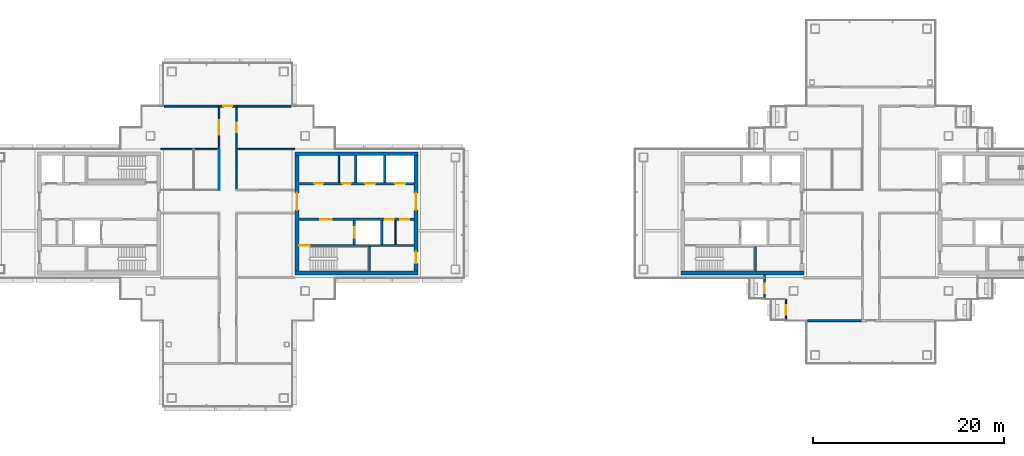
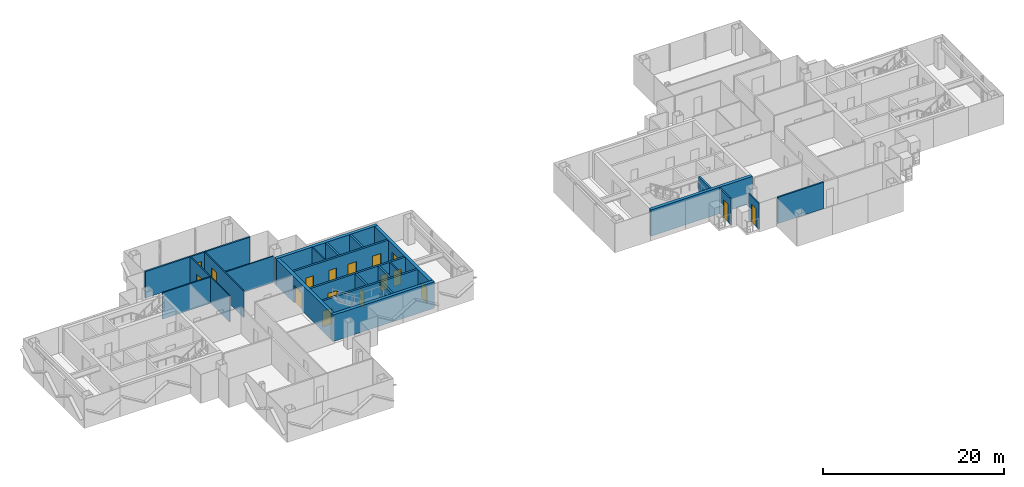
# One storey, part 10 of 17: 27 walls, 17 doors, 17 openings.
"""IFC4 building model written with IfcOpenShell, lengths in metres."""

from ifc_helpers import new_model, si_unit, direction, frame, frame_2d, origin, place, context, subcontext, project, spatial, rectangle, extrude, material, layer, layer_set, type_object, element, fill, save


model = new_model("IFC4")

# Units and contexts
model_context = context("Model", 3, precision=1e-05, world=origin(), true_north=direction((0.0, 1.0)))
body_context = subcontext(model_context, "Body", "Model", "MODEL_VIEW")
ifc_project = project(units=[si_unit("LENGTHUNIT", "METRE"), si_unit("AREAUNIT", "SQUARE_METRE"), si_unit("VOLUMEUNIT", "CUBIC_METRE"), si_unit("PLANEANGLEUNIT", "RADIAN"), si_unit("MASSUNIT", "GRAM", prefix="KILO")], contexts=[model_context])

# Site, building, storey
site_placement = place(None, origin())
site = spatial("IfcSite", under=ifc_project, at=site_placement, CompositionType="ELEMENT")
building_placement = place(site_placement, origin())
building = spatial("IfcBuilding", under=site, at=building_placement, Name="Shamsa Quay Exchange Towers", CompositionType="ELEMENT")
storey_placement = place(building_placement, frame((0.0, 0.0, 238.199951171875)))
storey = spatial("IfcBuildingStorey", under=building, at=storey_placement, Name="L57", CompositionType="ELEMENT", Elevation=238.199951171875)

# Wall, opening, door
ifc_material_1 = material(Name="Double-leaf gypsum board partition with acoustic insulation")
ifc_layer_1 = layer(ifc_material_1, 0.199951171875)
ifc_layer_set_1 = layer_set([ifc_layer_1], Name="Acoustic partition 200 mm EI 60")
wall_type_1 = type_object("IfcWallType", Name="Acoustic partition 200 mm EI 60", PredefinedType="PARTITIONING", material=ifc_layer_set_1)
wall_1_placement = place(storey_placement, frame((-34.725341796875, 11.25, 0.0)))
wall_1 = element("IfcWall", 1, at=wall_1_placement, inside=storey, type_object=wall_type_1, Name="Partition T1-R25-W10", PredefinedType="PARTITIONING", context=body_context, shape_type="SweptSolid", body=[
    extrude(rectangle(XDim=1.95068359375, YDim=0.199951171875, at=frame_2d((0.975341796875, 0.0))), origin(), (0.0, 0.0, 1.0), 3.550048828125),
])
opening_1_placement = place(wall_1_placement, frame((0.525390625, 0.0, 0.0)))
opening_1 = element("IfcOpeningElement", 2, at=opening_1_placement, cuts=wall_1, Name="Opening T1-R25-D06", PredefinedType="OPENING", context=body_context, shape_type="SweptSolid", body=[
    extrude(rectangle(XDim=0.89990234375, YDim=2.39990234375, at=frame_2d((0.449951171875, 1.199951171875))), frame((0.0, 0.10986328125, 0.0), z_axis=(0.0, -1.0, 0.0), x_axis=(1.0, 0.0, 0.0)), (0.0, 0.0, 1.0), 0.219970703125),
])
ifc_material_2 = material(Name="Timber door leaf in a metal frame", Category="wood")
door_type_1 = type_object("IfcDoorType", Name="Door 900x2400 FD30S", OperationType="NOTDEFINED", PredefinedType="DOOR", material=ifc_material_2)
door_1_placement = place(opening_1_placement, origin())
door_1 = element("IfcDoor", 3, at=door_1_placement, inside=storey, type_object=door_type_1, Name="Door T1-R25-D06", OperationType="SINGLE_SWING_LEFT", OverallHeight=2.39990234375, OverallWidth=0.89990234375, PredefinedType="DOOR", context=body_context, shape_type="SweptSolid", body=[
    extrude(rectangle(XDim=0.89990234375, YDim=2.39990234375, at=frame_2d((0.449951171875, 1.199951171875))), frame((0.0, 0.02490234375, 0.0), z_axis=(0.0, -1.0, 0.0), x_axis=(1.0, 0.0, 0.0)), (0.0, 0.0, 1.0), 0.050048828125),
])
fill(opening_1, door_1)

# Walls
for number, where, z_axis, x_axis, name in (
    (4, (-27.094970703125, 11.25, 0.0), (0.0, 0.0, 1.0), (-1.0, 0.0, 0.0), "Partition T1-R25-W18"),
    (5, (-34.575439453125, 11.25, 0.0), (0.0, 0.0, 1.0), (-1.0, 0.0, 0.0), "Partition T1-R25-W19"),
):
    element("IfcWall", number, at=place(storey_placement, frame(where, z_axis=z_axis, x_axis=x_axis)), inside=storey, type_object=wall_type_1, Name=name, PredefinedType="PARTITIONING", context=body_context, shape_type="SweptSolid", body=[
        extrude(rectangle(XDim=5.82958984375, YDim=0.199951171875, at=frame_2d((2.914794921875, 0.0))), origin(), (0.0, 0.0, 1.0), 3.550048828125),
    ])
wall_2_placement = place(storey_placement, frame((27.094970703125, -11.25, 0.0)))
element("IfcWall", 6, at=wall_2_placement, inside=storey, type_object=wall_type_1, Name="Partition T2-R25-W22", PredefinedType="PARTITIONING", context=body_context, shape_type="SweptSolid", body=[
    extrude(rectangle(XDim=5.854736328125, YDim=0.199951171875, at=frame_2d((2.92724609375, 0.0))), origin(), (0.0, 0.0, 1.0), 3.550048828125),
])

# Wall, opening, door
ifc_material_3 = material(Name="Aluminium EN AW-6063 T6, black anodised, with black enamelled glass infill", Category="aluminium")
ifc_layer_2 = layer(ifc_material_3, 0.14990234375)
ifc_layer_set_2 = layer_set([ifc_layer_2], Name="BALCONY DOOR BAY WALL 150")
wall_type_2 = type_object("IfcWallType", Name="BALCONY DOOR BAY WALL 150", PredefinedType="SOLIDWALL", material=ifc_layer_set_2)
wall_3_placement = place(storey_placement, frame((22.574951171875, -9.0, 0.0), z_axis=(0.0, 0.0, 1.0), x_axis=(0.0, 1.0, 0.0)))
wall_3 = element("IfcWall", 7, at=wall_3_placement, inside=storey, type_object=wall_type_2, Name="Door bay T2-PKWN L57", PredefinedType="SOLIDWALL", context=body_context, shape_type="SweptSolid", body=[
    extrude(rectangle(XDim=2.556884765625, YDim=0.14990234375, at=frame_2d((1.2783203125, 0.0))), origin(), (0.0, 0.0, 1.0), 3.449951171875),
])
opening_2_placement = place(wall_3_placement, frame((0.625, 0.0, 0.0)))
opening_2 = element("IfcOpeningElement", 8, at=opening_2_placement, cuts=wall_3, Name="Opening XD381", PredefinedType="OPENING", context=body_context, shape_type="SweptSolid", body=[
    extrude(rectangle(XDim=1.0, YDim=2.39990234375, at=frame_2d((0.5, 1.199951171875))), frame((0.0, 0.0849609375, 0.0), z_axis=(0.0, -1.0, 0.0), x_axis=(1.0, 0.0, 0.0)), (0.0, 0.0, 1.0), 0.169921875),
])
ifc_material_4 = material(Name="Aluminium EN AW-6063 T6, black anodised, with laminated glass leaf", Category="aluminium")
door_type_2 = type_object("IfcDoorType", Name="BALCONY DOOR 1000x2400", OperationType="SINGLE_SWING_LEFT", PredefinedType="DOOR", material=ifc_material_4)
door_2_placement = place(opening_2_placement, origin())
door_2 = element("IfcDoor", 9, at=door_2_placement, inside=storey, type_object=door_type_2, Name="Balcony door T2-PKWN L57", OperationType="SINGLE_SWING_LEFT", OverallHeight=2.39990234375, OverallWidth=1.0, PredefinedType="DOOR", context=body_context, shape_type="SweptSolid", body=[
    extrude(rectangle(XDim=1.0, YDim=2.39990234375, at=frame_2d((0.5, 1.199951171875))), frame((0.0, 0.02490234375, 0.0), z_axis=(0.0, -1.0, 0.0), x_axis=(1.0, 0.0, 0.0)), (0.0, 0.0, 1.0), 0.050048828125),
])
fill(opening_2, door_2)

wall_4_placement = place(storey_placement, frame((24.824951171875, -11.25, 0.0), z_axis=(0.0, 0.0, 1.0), x_axis=(0.0, 1.0, 0.0)))
wall_4 = element("IfcWall", 10, at=wall_4_placement, inside=storey, type_object=wall_type_2, Name="Door bay T2-PKWN L57", PredefinedType="SOLIDWALL", context=body_context, shape_type="SweptSolid", body=[
    extrude(rectangle(XDim=2.25, YDim=0.14990234375, at=frame_2d((1.125, 0.0))), origin(), (0.0, 0.0, 1.0), 3.449951171875),
])
opening_3_placement = place(wall_4_placement, frame((0.625, 0.0, 0.0)))
opening_3 = element("IfcOpeningElement", 11, at=opening_3_placement, cuts=wall_4, Name="Opening XD382", PredefinedType="OPENING", context=body_context, shape_type="SweptSolid", body=[
    extrude(rectangle(XDim=1.0, YDim=2.39990234375, at=frame_2d((0.5, 1.199951171875))), frame((0.0, 0.0849609375, 0.0), z_axis=(0.0, -1.0, 0.0), x_axis=(1.0, 0.0, 0.0)), (0.0, 0.0, 1.0), 0.169921875),
])
door_3_placement = place(opening_3_placement, origin())
door_3 = element("IfcDoor", 12, at=door_3_placement, inside=storey, type_object=door_type_2, Name="Balcony door T2-PKWN L57", OperationType="SINGLE_SWING_RIGHT", OverallHeight=2.39990234375, OverallWidth=1.0, PredefinedType="DOOR", context=body_context, shape_type="SweptSolid", body=[
    extrude(rectangle(XDim=1.0, YDim=2.39990234375, at=frame_2d((0.5, 1.199951171875))), frame((0.0, 0.02490234375, 0.0), z_axis=(0.0, -1.0, 0.0), x_axis=(1.0, 0.0, 0.0)), (0.0, 0.0, 1.0), 0.050048828125),
])
fill(opening_3, door_3)

# Walls
ifc_material_5 = material(Name="Concrete C60/75", Category="concrete")
ifc_layer_3 = layer(ifc_material_5, 0.39990234375)
ifc_layer_set_3 = layer_set([ifc_layer_3], Name="CORE WALL 400 C60/75")
wall_type_3 = type_object("IfcWallType", Name="CORE WALL 400 C60/75", PredefinedType="SHEAR", material=ifc_layer_set_3)
for number, where, name in (
    (13, (-26.699951171875, -6.25, 0.0), "Core wall T1A-R25-PS"),
    (14, (-26.699951171875, 6.25, 0.0), "Core wall T1A-R25-PN"),
):
    element("IfcWall", number, at=place(storey_placement, frame(where)), inside=storey, type_object=wall_type_3, Name=name, PredefinedType="SHEAR", context=body_context, shape_type="SweptSolid", body=[
        extrude(rectangle(XDim=12.89990234375, YDim=0.39990234375, at=frame_2d((6.449951171875, 0.0))), origin(), (0.0, 0.0, 1.0), 3.550048828125),
    ])

# Wall, opening, door
wall_5_placement = place(storey_placement, frame((-26.5, 6.050048828125, 0.0), z_axis=(0.0, 0.0, 1.0), x_axis=(0.0, -1.0, 0.0)))
wall_5 = element("IfcWall", 15, at=wall_5_placement, inside=storey, type_object=wall_type_3, Name="Core wall T1A-R25-PF", PredefinedType="SHEAR", context=body_context, shape_type="SweptSolid", body=[
    extrude(rectangle(XDim=12.10009765625, YDim=0.39990234375, at=frame_2d((6.050048828125, 0.0))), origin(), (0.0, 0.0, 1.0), 3.550048828125),
])
opening_4_placement = place(wall_5_placement, frame((3.89990234375, 0.0, 0.0)))
opening_4 = element("IfcOpeningElement", 16, at=opening_4_placement, cuts=wall_5, Name="Opening T1A-R25-LBD01", PredefinedType="OPENING", context=body_context, shape_type="SweptSolid", body=[
    extrude(rectangle(XDim=1.800048828125, YDim=2.39990234375, at=frame_2d((0.89990234375, 1.199951171875))), frame((0.0, 0.2099609375, 0.0), z_axis=(0.0, -1.0, 0.0), x_axis=(1.0, 0.0, 0.0)), (0.0, 0.0, 1.0), 0.419921875),
])
ifc_material_6 = material(Name="Steel, fire rated", Category="steel")
door_type_3 = type_object("IfcDoorType", Name="LIFT LOBBY DOOR PAIR 1800", OperationType="DOUBLE_DOOR_SINGLE_SWING", PredefinedType="DOOR", material=ifc_material_6)
door_4_placement = place(opening_4_placement, origin())
door_4 = element("IfcDoor", 17, at=door_4_placement, inside=storey, type_object=door_type_3, Name="T1A-R25-LBD01", OperationType="DOUBLE_DOOR_SINGLE_SWING", OverallHeight=2.39990234375, OverallWidth=1.800048828125, PredefinedType="DOOR", context=body_context, shape_type="SweptSolid", body=[
    extrude(rectangle(XDim=1.800048828125, YDim=2.39990234375, at=frame_2d((0.89990234375, 1.199951171875))), frame((0.0, 0.02490234375, 0.0), z_axis=(0.0, -1.0, 0.0), x_axis=(1.0, 0.0, 0.0)), (0.0, 0.0, 1.0), 0.050048828125),
])
fill(opening_4, door_4)

# Wall, openings, doors
wall_6_placement = place(storey_placement, frame((-14.0, 6.050048828125, 0.0), z_axis=(0.0, 0.0, 1.0), x_axis=(0.0, -1.0, 0.0)))
wall_6 = element("IfcWall", 18, at=wall_6_placement, inside=storey, type_object=wall_type_3, Name="Core wall T1A-R25-PB", PredefinedType="SHEAR", context=body_context, shape_type="SweptSolid", body=[
    extrude(rectangle(XDim=12.10009765625, YDim=0.39990234375, at=frame_2d((6.050048828125, 0.0))), origin(), (0.0, 0.0, 1.0), 3.550048828125),
])
opening_5_placement = place(wall_6_placement, frame((10.10009765625, 0.0, 0.0)))
opening_5 = element("IfcOpeningElement", 19, at=opening_5_placement, cuts=wall_6, Name="Opening T1A-R25-RD02", PredefinedType="OPENING", context=body_context, shape_type="SweptSolid", body=[
    extrude(rectangle(XDim=1.199951171875, YDim=2.10009765625, at=frame_2d((0.60009765625, 1.050048828125))), frame((0.0, 0.2099609375, 0.0), z_axis=(0.0, -1.0, 0.0), x_axis=(1.0, 0.0, 0.0)), (0.0, 0.0, 1.0), 0.419921875),
])
opening_6_placement = place(wall_6_placement, frame((3.89990234375, 0.0, 0.0)))
opening_6 = element("IfcOpeningElement", 20, at=opening_6_placement, cuts=wall_6, Name="Opening T1A-R25-LBD03", PredefinedType="OPENING", context=body_context, shape_type="SweptSolid", body=[
    extrude(rectangle(XDim=1.800048828125, YDim=2.39990234375, at=frame_2d((0.89990234375, 1.199951171875))), frame((0.0, 0.2099609375, 0.0), z_axis=(0.0, -1.0, 0.0), x_axis=(1.0, 0.0, 0.0)), (0.0, 0.0, 1.0), 0.419921875),
])
door_5_placement = place(opening_6_placement, origin())
door_5 = element("IfcDoor", 21, at=door_5_placement, inside=storey, type_object=door_type_3, Name="T1A-R25-LBD03", OperationType="DOUBLE_DOOR_SINGLE_SWING", OverallHeight=2.39990234375, OverallWidth=1.800048828125, PredefinedType="DOOR", context=body_context, shape_type="SweptSolid", body=[
    extrude(rectangle(XDim=1.800048828125, YDim=2.39990234375, at=frame_2d((0.89990234375, 1.199951171875))), frame((0.0, 0.02490234375, 0.0), z_axis=(0.0, -1.0, 0.0), x_axis=(1.0, 0.0, 0.0)), (0.0, 0.0, 1.0), 0.050048828125),
])
fill(opening_6, door_5)
door_type_4 = type_object("IfcDoorType", Name="RISER ACCESS DOOR 1200", OperationType="SINGLE_SWING_LEFT", PredefinedType="DOOR", material=ifc_material_6)
door_6_placement = place(opening_5_placement, origin())
door_6 = element("IfcDoor", 22, at=door_6_placement, inside=storey, type_object=door_type_4, Name="T1A-R25-RD02", OperationType="SINGLE_SWING_RIGHT", OverallHeight=2.10009765625, OverallWidth=1.199951171875, PredefinedType="DOOR", context=body_context, shape_type="SweptSolid", body=[
    extrude(rectangle(XDim=1.199951171875, YDim=2.10009765625, at=frame_2d((0.60009765625, 1.050048828125))), frame((0.0, 0.02490234375, 0.0), z_axis=(0.0, -1.0, 0.0), x_axis=(1.0, 0.0, 0.0)), (0.0, 0.0, 1.0), 0.050048828125),
])
fill(opening_5, door_6)

# Walls
wall_7_placement = place(storey_placement, frame((13.800048828125, -6.25, 0.0)))
element("IfcWall", 23, at=wall_7_placement, inside=storey, type_object=wall_type_3, Name="Core wall T2A-R25-PS", PredefinedType="SHEAR", context=body_context, shape_type="SweptSolid", body=[
    extrude(rectangle(XDim=12.89990234375, YDim=0.39990234375, at=frame_2d((6.449951171875, 0.0))), origin(), (0.0, 0.0, 1.0), 3.550048828125),
])
ifc_material_7 = material(Name="Gypsum board on steel studs, EI 60", Category="steel")
ifc_layer_4 = layer(ifc_material_7, 0.14990234375)
ifc_layer_set_4 = layer_set([ifc_layer_4], Name="FIRE PARTITION 150")
wall_type_4 = type_object("IfcWallType", Name="FIRE PARTITION 150", PredefinedType="PARTITIONING", material=ifc_layer_set_4)
wall_8_placement = place(storey_placement, frame((-16.14990234375, -3.25, 0.0), z_axis=(0.0, 0.0, 1.0), x_axis=(0.0, 1.0, 0.0)))
element("IfcWall", 24, at=wall_8_placement, inside=storey, type_object=wall_type_4, Name="Partition T1A-R25-EC0", PredefinedType="PARTITIONING", context=body_context, shape_type="SweptSolid", body=[
    extrude(rectangle(XDim=2.5, YDim=0.14990234375, at=frame_2d((1.25, 0.0))), origin(), (0.0, 0.0, 1.0), 3.550048828125),
])
wall_9_placement = place(storey_placement, frame((-22.10009765625, 3.25, 0.0), z_axis=(0.0, 0.0, 1.0), x_axis=(0.0, 1.0, 0.0)))
element("IfcWall", 25, at=wall_9_placement, inside=storey, type_object=wall_type_4, Name="Partition T1A-R25-FC0", PredefinedType="PARTITIONING", context=body_context, shape_type="SweptSolid", body=[
    extrude(rectangle(XDim=2.800048828125, YDim=0.14990234375, at=frame_2d((1.39990234375, 0.0))), origin(), (0.0, 0.0, 1.0), 3.550048828125),
])
ifc_material_8 = material(Name="Gypsum board partition on metal studs")
ifc_layer_5 = layer(ifc_material_8, 0.10009765625)
ifc_layer_set_5 = layer_set([ifc_layer_5], Name="Partition 100 mm NOT RATED")
wall_type_5 = type_object("IfcWallType", Name="Partition 100 mm NOT RATED", PredefinedType="PARTITIONING", material=ifc_layer_set_5)
wall_10_placement = place(storey_placement, frame((-34.650390625, 2.500244140625, 0.0), z_axis=(0.0, 0.0, 1.0), x_axis=(0.0, 1.0, 0.0)))
element("IfcWall", 26, at=wall_10_placement, inside=storey, type_object=wall_type_5, Name="Partition T1-R25-W07", PredefinedType="PARTITIONING", context=body_context, shape_type="SweptSolid", body=[
    extrude(rectangle(XDim=4.1748046875, YDim=0.10009765625, at=frame_2d((2.08740234375, 0.0))), origin(), (0.0, 0.0, 1.0), 3.550048828125),
])

# Wall, opening, door
ifc_layer_6 = layer(ifc_material_8, 0.14990234375)
ifc_layer_set_6 = layer_set([ifc_layer_6], Name="Partition 150 mm EI 60")
wall_type_6 = type_object("IfcWallType", Name="Partition 150 mm EI 60", PredefinedType="PARTITIONING", material=ifc_layer_set_6)
wall_11_placement = place(storey_placement, frame((-32.849609375, 11.14990234375, 0.0), z_axis=(0.0, 0.0, 1.0), x_axis=(0.0, -1.0, 0.0)))
wall_11 = element("IfcWall", 27, at=wall_11_placement, inside=storey, type_object=wall_type_6, Name="Partition T1-R25-W01", PredefinedType="PARTITIONING", context=body_context, shape_type="SweptSolid", body=[
    extrude(rectangle(XDim=8.624755859375, YDim=0.14990234375, at=frame_2d((4.3125, 0.0))), origin(), (0.0, 0.0, 1.0), 3.550048828125),
])
opening_7_placement = place(wall_11_placement, frame((1.64990234375, 0.0, 0.0)))
opening_7 = element("IfcOpeningElement", 28, at=opening_7_placement, cuts=wall_11, Name="Opening T1-R25-D11", PredefinedType="OPENING", context=body_context, shape_type="SweptSolid", body=[
    extrude(rectangle(XDim=1.0, YDim=2.39990234375, at=frame_2d((0.5, 1.199951171875))), frame((0.0, 0.0849609375, 0.0), z_axis=(0.0, -1.0, 0.0), x_axis=(1.0, 0.0, 0.0)), (0.0, 0.0, 1.0), 0.169921875),
])
door_type_5 = type_object("IfcDoorType", Name="Door 1000x2400 FD30S", OperationType="NOTDEFINED", PredefinedType="DOOR", material=ifc_material_2)
door_7_placement = place(opening_7_placement, origin())
door_7 = element("IfcDoor", 29, at=door_7_placement, inside=storey, type_object=door_type_5, Name="Door T1-R25-D11", OperationType="SINGLE_SWING_RIGHT", OverallHeight=2.39990234375, OverallWidth=1.0, PredefinedType="DOOR", context=body_context, shape_type="SweptSolid", body=[
    extrude(rectangle(XDim=1.0, YDim=2.39990234375, at=frame_2d((0.5, 1.199951171875))), frame((0.0, 0.02490234375, 0.0), z_axis=(0.0, -1.0, 0.0), x_axis=(1.0, 0.0, 0.0)), (0.0, 0.0, 1.0), 0.050048828125),
])
fill(opening_7, door_7)

wall_12_placement = place(storey_placement, frame((-34.650390625, 6.824951171875, 0.0), z_axis=(0.0, 0.0, 1.0), x_axis=(0.0, 1.0, 0.0)))
wall_12 = element("IfcWall", 30, at=wall_12_placement, inside=storey, type_object=wall_type_6, Name="Partition T1-R25-W09", PredefinedType="PARTITIONING", context=body_context, shape_type="SweptSolid", body=[
    extrude(rectangle(XDim=4.324951171875, YDim=0.14990234375, at=frame_2d((2.16259765625, 0.0))), origin(), (0.0, 0.0, 1.0), 3.550048828125),
])
opening_8_placement = place(wall_12_placement, frame((1.425048828125, 0.0, 0.0)))
opening_8 = element("IfcOpeningElement", 31, at=opening_8_placement, cuts=wall_12, Name="Opening T1-R25-D05", PredefinedType="OPENING", context=body_context, shape_type="SweptSolid", body=[
    extrude(rectangle(XDim=1.5, YDim=2.10009765625, at=frame_2d((0.75, 1.050048828125))), frame((0.0, 0.0849609375, 0.0), z_axis=(0.0, -1.0, 0.0), x_axis=(1.0, 0.0, 0.0)), (0.0, 0.0, 1.0), 0.169921875),
])
door_type_6 = type_object("IfcDoorType", Name="Door 1500x2100 FD30S pair", OperationType="NOTDEFINED", PredefinedType="DOOR", material=ifc_material_2)
door_8_placement = place(opening_8_placement, origin())
door_8 = element("IfcDoor", 32, at=door_8_placement, inside=storey, type_object=door_type_6, Name="Door T1-R25-D05", OperationType="DOUBLE_DOOR_SINGLE_SWING", OverallHeight=2.10009765625, OverallWidth=1.5, PredefinedType="DOOR", context=body_context, shape_type="SweptSolid", body=[
    extrude(rectangle(XDim=1.5, YDim=2.10009765625, at=frame_2d((0.75, 1.050048828125))), frame((0.0, 0.02490234375, 0.0), z_axis=(0.0, -1.0, 0.0), x_axis=(1.0, 0.0, 0.0)), (0.0, 0.0, 1.0), 0.050048828125),
])
fill(opening_8, door_8)

# Walls
wall_13_placement = place(storey_placement, frame((-26.699951171875, 6.75, 0.0), z_axis=(0.0, 0.0, 1.0), x_axis=(-1.0, 0.0, 0.0)))
element("IfcWall", 33, at=wall_13_placement, inside=storey, type_object=wall_type_6, Name="Partition T1-R25-W13", PredefinedType="PARTITIONING", context=body_context, shape_type="SweptSolid", body=[
    extrude(rectangle(XDim=6.07470703125, YDim=0.14990234375, at=frame_2d((3.037353515625, 0.0))), origin(), (0.0, 0.0, 1.0), 3.550048828125),
])
wall_14_placement = place(storey_placement, frame((-34.575439453125, 6.75, 0.0), z_axis=(0.0, 0.0, 1.0), x_axis=(-1.0, 0.0, 0.0)))
element("IfcWall", 34, at=wall_14_placement, inside=storey, type_object=wall_type_6, Name="Partition T1-R25-W14", PredefinedType="PARTITIONING", context=body_context, shape_type="SweptSolid", body=[
    extrude(rectangle(XDim=6.224609375, YDim=0.14990234375, at=frame_2d((3.1123046875, 0.0))), origin(), (0.0, 0.0, 1.0), 3.550048828125),
])

# Wall, opening, door
ifc_material_9 = material(Name="Concrete C50/60", Category="concrete")
ifc_layer_7 = layer(ifc_material_9, 0.25)
ifc_layer_set_7 = layer_set([ifc_layer_7], Name="SHAFT WALL 250 C50/60")
wall_type_7 = type_object("IfcWallType", Name="SHAFT WALL 250 C50/60", PredefinedType="SHEAR", material=ifc_layer_set_7)
wall_15_placement = place(storey_placement, frame((-14.199951171875, -3.375, 0.0), z_axis=(0.0, 0.0, 1.0), x_axis=(-1.0, 0.0, 0.0)))
wall_15 = element("IfcWall", 35, at=wall_15_placement, inside=storey, type_object=wall_type_7, Name="Shaft wall T1A-R25-STL", PredefinedType="SHEAR", context=body_context, shape_type="SweptSolid", body=[
    extrude(rectangle(XDim=12.10009765625, YDim=0.25, at=frame_2d((6.050048828125, 0.0))), origin(), (0.0, 0.0, 1.0), 3.550048828125),
])
opening_9_placement = place(wall_15_placement, frame((10.949951171875, 0.0, 0.0)))
opening_9 = element("IfcOpeningElement", 36, at=opening_9_placement, cuts=wall_15, Name="Opening T1A-R25-SD04", PredefinedType="OPENING", context=body_context, shape_type="SweptSolid", body=[
    extrude(rectangle(XDim=1.10009765625, YDim=2.10009765625, at=frame_2d((0.550048828125, 1.050048828125))), frame((0.0, 0.135009765625, 0.0), z_axis=(0.0, -1.0, 0.0), x_axis=(1.0, 0.0, 0.0)), (0.0, 0.0, 1.0), 0.27001953125),
])
door_type_7 = type_object("IfcDoorType", Name="STAIR DOOR 1100", OperationType="SINGLE_SWING_LEFT", PredefinedType="DOOR", material=ifc_material_6)
door_9_placement = place(opening_9_placement, origin())
door_9 = element("IfcDoor", 37, at=door_9_placement, inside=storey, type_object=door_type_7, Name="T1A-R25-SD04", OperationType="SINGLE_SWING_RIGHT", OverallHeight=2.10009765625, OverallWidth=1.10009765625, PredefinedType="DOOR", context=body_context, shape_type="SweptSolid", body=[
    extrude(rectangle(XDim=1.10009765625, YDim=2.10009765625, at=frame_2d((0.550048828125, 1.050048828125))), frame((0.0, 0.02490234375, 0.0), z_axis=(0.0, -1.0, 0.0), x_axis=(1.0, 0.0, 0.0)), (0.0, 0.0, 1.0), 0.050048828125),
])
fill(opening_9, door_9)

# Wall
wall_16_placement = place(storey_placement, frame((-18.875, -6.050048828125, 0.0), z_axis=(0.0, 0.0, 1.0), x_axis=(0.0, 1.0, 0.0)))
element("IfcWall", 38, at=wall_16_placement, inside=storey, type_object=wall_type_7, Name="Shaft wall T1A-R25-STF", PredefinedType="SHEAR", context=body_context, shape_type="SweptSolid", body=[
    extrude(rectangle(XDim=2.550048828125, YDim=0.25, at=frame_2d((1.27490234375, 0.0))), origin(), (0.0, 0.0, 1.0), 3.550048828125),
])

# Wall, openings, doors
wall_17_placement = place(storey_placement, frame((-14.199951171875, -0.625, 0.0), z_axis=(0.0, 0.0, 1.0), x_axis=(-1.0, 0.0, 0.0)))
wall_17 = element("IfcWall", 39, at=wall_17_placement, inside=storey, type_object=wall_type_7, Name="Shaft wall T1A-R25-B", PredefinedType="SHEAR", context=body_context, shape_type="SweptSolid", body=[
    extrude(rectangle(XDim=12.10009765625, YDim=0.25, at=frame_2d((6.050048828125, 0.0))), origin(), (0.0, 0.0, 1.0), 3.550048828125),
])
opening_10_placement = place(wall_17_placement, frame((8.64990234375, 0.0, 0.0)))
opening_10 = element("IfcOpeningElement", 40, at=opening_10_placement, cuts=wall_17, Name="Opening T1A-R25-FD05", PredefinedType="OPENING", context=body_context, shape_type="SweptSolid", body=[
    extrude(rectangle(XDim=1.199951171875, YDim=2.10009765625, at=frame_2d((0.60009765625, 1.050048828125))), frame((0.0, 0.135009765625, 0.0), z_axis=(0.0, -1.0, 0.0), x_axis=(1.0, 0.0, 0.0)), (0.0, 0.0, 1.0), 0.27001953125),
])
opening_11_placement = place(wall_17_placement, frame((2.14990234375, 0.0, 0.0)))
opening_11 = element("IfcOpeningElement", 41, at=opening_11_placement, cuts=wall_17, Name="Opening T1A-R25-SV06", PredefinedType="OPENING", context=body_context, shape_type="SweptSolid", body=[
    extrude(rectangle(XDim=0.89990234375, YDim=2.10009765625, at=frame_2d((0.449951171875, 1.050048828125))), frame((0.0, 0.135009765625, 0.0), z_axis=(0.0, -1.0, 0.0), x_axis=(1.0, 0.0, 0.0)), (0.0, 0.0, 1.0), 0.27001953125),
])
opening_12_placement = place(wall_17_placement, frame((0.52490234375, 0.0, 0.0)))
opening_12 = element("IfcOpeningElement", 42, at=opening_12_placement, cuts=wall_17, Name="Opening T1A-R25-SV07", PredefinedType="OPENING", context=body_context, shape_type="SweptSolid", body=[
    extrude(rectangle(XDim=0.89990234375, YDim=2.10009765625, at=frame_2d((0.449951171875, 1.050048828125))), frame((0.0, 0.135009765625, 0.0), z_axis=(0.0, -1.0, 0.0), x_axis=(1.0, 0.0, 0.0)), (0.0, 0.0, 1.0), 0.27001953125),
])
door_type_8 = type_object("IfcDoorType", Name="FIRE SERVICE LOBBY DOOR 1200", OperationType="SINGLE_SWING_LEFT", PredefinedType="DOOR", material=ifc_material_6)
door_10_placement = place(opening_10_placement, origin())
door_10 = element("IfcDoor", 43, at=door_10_placement, inside=storey, type_object=door_type_8, Name="T1A-R25-FD05", OperationType="SINGLE_SWING_RIGHT", OverallHeight=2.10009765625, OverallWidth=1.199951171875, PredefinedType="DOOR", context=body_context, shape_type="SweptSolid", body=[
    extrude(rectangle(XDim=1.199951171875, YDim=2.10009765625, at=frame_2d((0.60009765625, 1.050048828125))), frame((0.0, 0.02490234375, 0.0), z_axis=(0.0, -1.0, 0.0), x_axis=(1.0, 0.0, 0.0)), (0.0, 0.0, 1.0), 0.050048828125),
])
fill(opening_10, door_10)
door_type_9 = type_object("IfcDoorType", Name="SERVICE ROOM DOOR 900", OperationType="SINGLE_SWING_LEFT", PredefinedType="DOOR", material=ifc_material_6)
door_11_placement = place(opening_11_placement, origin())
door_11 = element("IfcDoor", 44, at=door_11_placement, inside=storey, type_object=door_type_9, Name="T1A-R25-SV06", OperationType="SINGLE_SWING_LEFT", OverallHeight=2.10009765625, OverallWidth=0.89990234375, PredefinedType="DOOR", context=body_context, shape_type="SweptSolid", body=[
    extrude(rectangle(XDim=0.89990234375, YDim=2.10009765625, at=frame_2d((0.449951171875, 1.050048828125))), frame((0.0, 0.02490234375, 0.0), z_axis=(0.0, -1.0, 0.0), x_axis=(1.0, 0.0, 0.0)), (0.0, 0.0, 1.0), 0.050048828125),
])
fill(opening_11, door_11)
door_12_placement = place(opening_12_placement, origin())
door_12 = element("IfcDoor", 45, at=door_12_placement, inside=storey, type_object=door_type_9, Name="T1A-R25-SV07", OperationType="SINGLE_SWING_LEFT", OverallHeight=2.10009765625, OverallWidth=0.89990234375, PredefinedType="DOOR", context=body_context, shape_type="SweptSolid", body=[
    extrude(rectangle(XDim=0.89990234375, YDim=2.10009765625, at=frame_2d((0.449951171875, 1.050048828125))), frame((0.0, 0.02490234375, 0.0), z_axis=(0.0, -1.0, 0.0), x_axis=(1.0, 0.0, 0.0)), (0.0, 0.0, 1.0), 0.050048828125),
])
fill(opening_12, door_12)

# Wall, opening, door
wall_18_placement = place(storey_placement, frame((-20.47509765625, -3.25, 0.0), z_axis=(0.0, 0.0, 1.0), x_axis=(0.0, 1.0, 0.0)))
wall_18 = element("IfcWall", 46, at=wall_18_placement, inside=storey, type_object=wall_type_7, Name="Shaft wall T1A-R25-FFF", PredefinedType="SHEAR", context=body_context, shape_type="SweptSolid", body=[
    extrude(rectangle(XDim=2.5, YDim=0.25, at=frame_2d((1.25, 0.0))), origin(), (0.0, 0.0, 1.0), 3.550048828125),
])
opening_13_placement = place(wall_18_placement, frame((0.699951171875, 0.0, 0.0)))
opening_13 = element("IfcOpeningElement", 47, at=opening_13_placement, cuts=wall_18, Name="Opening T1A-R25-LDF08", PredefinedType="OPENING", context=body_context, shape_type="SweptSolid", body=[
    extrude(rectangle(XDim=1.10009765625, YDim=2.10009765625, at=frame_2d((0.550048828125, 1.050048828125))), frame((0.0, 0.135009765625, 0.0), z_axis=(0.0, -1.0, 0.0), x_axis=(1.0, 0.0, 0.0)), (0.0, 0.0, 1.0), 0.27001953125),
])
door_type_10 = type_object("IfcDoorType", Name="FIRE SERVICE LANDING DOOR 1100", OperationType="SLIDING_TO_LEFT", PredefinedType="DOOR", material=ifc_material_6)
door_13_placement = place(opening_13_placement, origin())
door_13 = element("IfcDoor", 48, at=door_13_placement, inside=storey, type_object=door_type_10, Name="T1A-R25-LDF08", OperationType="SLIDING_TO_LEFT", OverallHeight=2.10009765625, OverallWidth=1.10009765625, PredefinedType="DOOR", context=body_context, shape_type="SweptSolid", body=[
    extrude(rectangle(XDim=1.10009765625, YDim=2.10009765625, at=frame_2d((0.550048828125, 1.050048828125))), frame((0.0, 0.02490234375, 0.0), z_axis=(0.0, -1.0, 0.0), x_axis=(1.0, 0.0, 0.0)), (0.0, 0.0, 1.0), 0.050048828125),
])
fill(opening_13, door_13)

# Wall
wall_19_placement = place(storey_placement, frame((-17.574951171875, -3.25, 0.0), z_axis=(0.0, 0.0, 1.0), x_axis=(0.0, 1.0, 0.0)))
element("IfcWall", 49, at=wall_19_placement, inside=storey, type_object=wall_type_7, Name="Shaft wall T1A-R25-FFB", PredefinedType="SHEAR", context=body_context, shape_type="SweptSolid", body=[
    extrude(rectangle(XDim=2.5, YDim=0.25, at=frame_2d((1.25, 0.0))), origin(), (0.0, 0.0, 1.0), 3.550048828125),
])

# Wall, openings, doors
wall_20_placement = place(storey_placement, frame((-26.300048828125, 3.125, 0.0)))
wall_20 = element("IfcWall", 50, at=wall_20_placement, inside=storey, type_object=wall_type_7, Name="Shaft wall T1A-R25-N", PredefinedType="SHEAR", context=body_context, shape_type="SweptSolid", body=[
    extrude(rectangle(XDim=12.10009765625, YDim=0.25, at=frame_2d((6.050048828125, 0.0))), origin(), (0.0, 0.0, 1.0), 3.550048828125),
])
opening_14_placement = place(wall_20_placement, frame((6.949951171875, 0.0, 0.0)))
opening_14 = element("IfcOpeningElement", 51, at=opening_14_placement, cuts=wall_20, Name="Opening T1A-R25-LD09", PredefinedType="OPENING", context=body_context, shape_type="SweptSolid", body=[
    extrude(rectangle(XDim=1.10009765625, YDim=2.10009765625, at=frame_2d((0.550048828125, 1.050048828125))), frame((0.0, 0.135009765625, 0.0), z_axis=(0.0, -1.0, 0.0), x_axis=(1.0, 0.0, 0.0)), (0.0, 0.0, 1.0), 0.27001953125),
])
opening_15_placement = place(wall_20_placement, frame((10.074951171875, 0.0, 0.0)))
opening_15 = element("IfcOpeningElement", 52, at=opening_15_placement, cuts=wall_20, Name="Opening T1A-R25-LD10", PredefinedType="OPENING", context=body_context, shape_type="SweptSolid", body=[
    extrude(rectangle(XDim=1.10009765625, YDim=2.10009765625, at=frame_2d((0.550048828125, 1.050048828125))), frame((0.0, 0.135009765625, 0.0), z_axis=(0.0, -1.0, 0.0), x_axis=(1.0, 0.0, 0.0)), (0.0, 0.0, 1.0), 0.27001953125),
])
opening_16_placement = place(wall_20_placement, frame((1.64990234375, 0.0, 0.0)))
opening_16 = element("IfcOpeningElement", 53, at=opening_16_placement, cuts=wall_20, Name="Opening T1A-R25-SV11", PredefinedType="OPENING", context=body_context, shape_type="SweptSolid", body=[
    extrude(rectangle(XDim=0.89990234375, YDim=2.10009765625, at=frame_2d((0.449951171875, 1.050048828125))), frame((0.0, 0.135009765625, 0.0), z_axis=(0.0, -1.0, 0.0), x_axis=(1.0, 0.0, 0.0)), (0.0, 0.0, 1.0), 0.27001953125),
])
opening_17_placement = place(wall_20_placement, frame((4.574951171875, 0.0, 0.0)))
opening_17 = element("IfcOpeningElement", 54, at=opening_17_placement, cuts=wall_20, Name="Opening T1A-R25-SV12", PredefinedType="OPENING", context=body_context, shape_type="SweptSolid", body=[
    extrude(rectangle(XDim=0.89990234375, YDim=2.10009765625, at=frame_2d((0.449951171875, 1.050048828125))), frame((0.0, 0.135009765625, 0.0), z_axis=(0.0, -1.0, 0.0), x_axis=(1.0, 0.0, 0.0)), (0.0, 0.0, 1.0), 0.27001953125),
])
door_type_11 = type_object("IfcDoorType", Name="LANDING DOOR 1100", OperationType="SLIDING_TO_LEFT", PredefinedType="DOOR", material=ifc_material_6)
door_14_placement = place(opening_14_placement, origin())
door_14 = element("IfcDoor", 55, at=door_14_placement, inside=storey, type_object=door_type_11, Name="T1A-R25-LD09", OperationType="SLIDING_TO_LEFT", OverallHeight=2.10009765625, OverallWidth=1.10009765625, PredefinedType="DOOR", context=body_context, shape_type="SweptSolid", body=[
    extrude(rectangle(XDim=1.10009765625, YDim=2.10009765625, at=frame_2d((0.550048828125, 1.050048828125))), frame((0.0, 0.02490234375, 0.0), z_axis=(0.0, -1.0, 0.0), x_axis=(1.0, 0.0, 0.0)), (0.0, 0.0, 1.0), 0.050048828125),
])
fill(opening_14, door_14)
door_15_placement = place(opening_15_placement, origin())
door_15 = element("IfcDoor", 56, at=door_15_placement, inside=storey, type_object=door_type_11, Name="T1A-R25-LD10", OperationType="SLIDING_TO_LEFT", OverallHeight=2.10009765625, OverallWidth=1.10009765625, PredefinedType="DOOR", context=body_context, shape_type="SweptSolid", body=[
    extrude(rectangle(XDim=1.10009765625, YDim=2.10009765625, at=frame_2d((0.550048828125, 1.050048828125))), frame((0.0, 0.02490234375, 0.0), z_axis=(0.0, -1.0, 0.0), x_axis=(1.0, 0.0, 0.0)), (0.0, 0.0, 1.0), 0.050048828125),
])
fill(opening_15, door_15)
door_16_placement = place(opening_16_placement, origin())
door_16 = element("IfcDoor", 57, at=door_16_placement, inside=storey, type_object=door_type_9, Name="T1A-R25-SV11", OperationType="SINGLE_SWING_LEFT", OverallHeight=2.10009765625, OverallWidth=0.89990234375, PredefinedType="DOOR", context=body_context, shape_type="SweptSolid", body=[
    extrude(rectangle(XDim=0.89990234375, YDim=2.10009765625, at=frame_2d((0.449951171875, 1.050048828125))), frame((0.0, 0.02490234375, 0.0), z_axis=(0.0, -1.0, 0.0), x_axis=(1.0, 0.0, 0.0)), (0.0, 0.0, 1.0), 0.050048828125),
])
fill(opening_16, door_16)
door_17_placement = place(opening_17_placement, origin())
door_17 = element("IfcDoor", 58, at=door_17_placement, inside=storey, type_object=door_type_9, Name="T1A-R25-SV12", OperationType="SINGLE_SWING_LEFT", OverallHeight=2.10009765625, OverallWidth=0.89990234375, PredefinedType="DOOR", context=body_context, shape_type="SweptSolid", body=[
    extrude(rectangle(XDim=0.89990234375, YDim=2.10009765625, at=frame_2d((0.449951171875, 1.050048828125))), frame((0.0, 0.02490234375, 0.0), z_axis=(0.0, -1.0, 0.0), x_axis=(1.0, 0.0, 0.0)), (0.0, 0.0, 1.0), 0.050048828125),
])
fill(opening_17, door_17)

# Walls
for number, where, z_axis, x_axis, name in (
    (59, (-20.324951171875, 3.25, 0.0), (0.0, 0.0, 1.0), (0.0, 1.0, 0.0), "Shaft wall T1A-R25-D1"),
    (60, (-17.27490234375, 3.25, 0.0), (0.0, 0.0, 1.0), (0.0, 1.0, 0.0), "Shaft wall T1A-R25-D2"),
):
    element("IfcWall", number, at=place(storey_placement, frame(where, z_axis=z_axis, x_axis=x_axis)), inside=storey, type_object=wall_type_7, Name=name, PredefinedType="SHEAR", context=body_context, shape_type="SweptSolid", body=[
        extrude(rectangle(XDim=2.800048828125, YDim=0.25, at=frame_2d((1.39990234375, 0.0))), origin(), (0.0, 0.0, 1.0), 3.550048828125),
    ])
wall_21_placement = place(storey_placement, frame((21.625, -6.050048828125, 0.0), z_axis=(0.0, 0.0, 1.0), x_axis=(0.0, 1.0, 0.0)))
element("IfcWall", 61, at=wall_21_placement, inside=storey, type_object=wall_type_7, Name="Shaft wall T2A-R25-STF", PredefinedType="SHEAR", context=body_context, shape_type="SweptSolid", body=[
    extrude(rectangle(XDim=2.550048828125, YDim=0.25, at=frame_2d((1.27490234375, 0.0))), origin(), (0.0, 0.0, 1.0), 3.550048828125),
])

save(model, "model.ifc")
